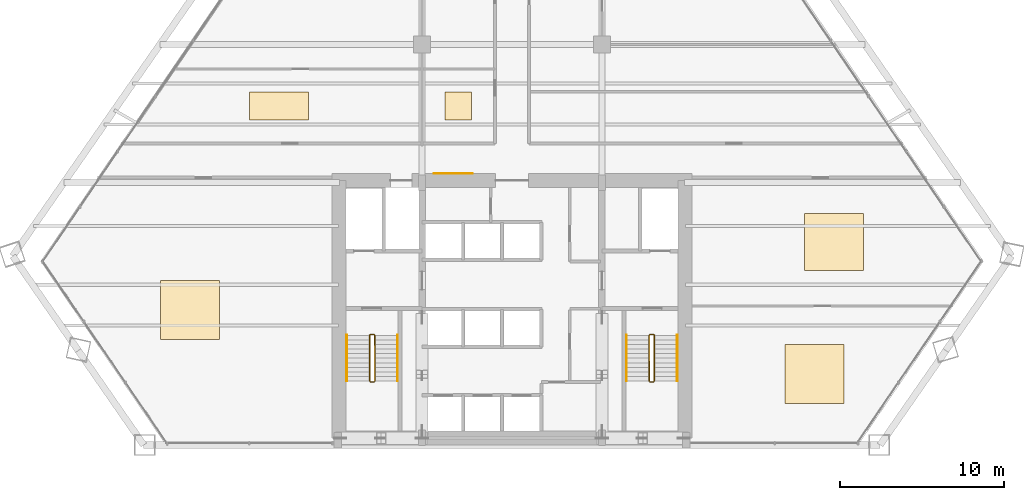
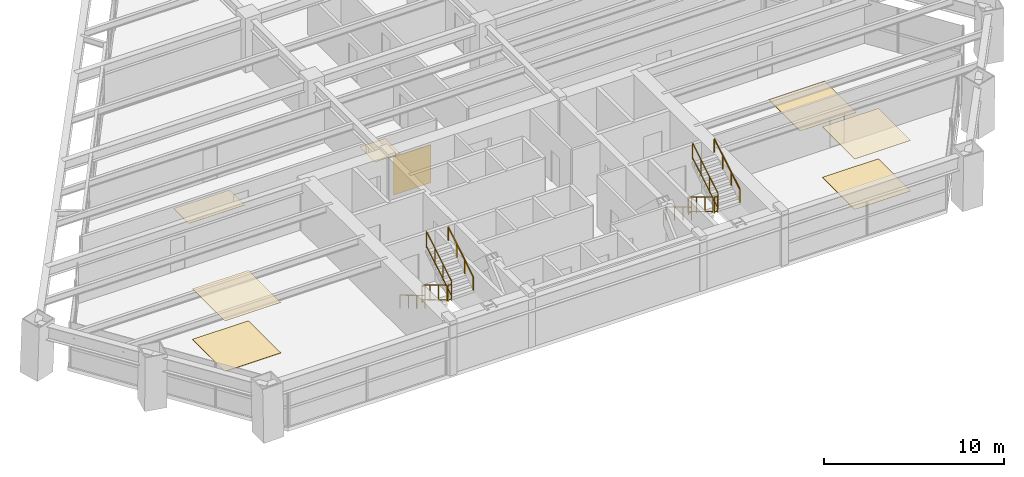
# One storey, part 13 of 13: 12 railings, 8 coverings.
"""IFC4 building model written with IfcOpenShell, lengths in metres."""

from ifc_helpers import new_model, si_unit, direction, frame, origin, origin_2d, place, context, subcontext, project, spatial, rectangle, extrude, source, transform, mapped, material, layer, layer_set, type_object, type_shapes, element, save


model = new_model("IFC4")

# Units and contexts
model_context = context("Model", 3, precision=1e-05, world=origin(), true_north=direction((0.0, 1.0)))
body_context = subcontext(model_context, "Body", "Model", "MODEL_VIEW")
ifc_project = project(units=[si_unit("LENGTHUNIT", "METRE"), si_unit("AREAUNIT", "SQUARE_METRE"), si_unit("VOLUMEUNIT", "CUBIC_METRE"), si_unit("PLANEANGLEUNIT", "RADIAN"), si_unit("MASSUNIT", "GRAM", prefix="KILO")], contexts=[model_context])

# Site, building, storey
site_placement = place(None, origin())
site = spatial("IfcSite", under=ifc_project, at=site_placement, CompositionType="ELEMENT")
building_placement = place(site_placement, origin())
building = spatial("IfcBuilding", under=site, at=building_placement, Name="Varnakhor Terracotta Tower", CompositionType="ELEMENT")
storey_placement = place(building_placement, frame((0.0, 0.0, 27.5)))
storey = spatial("IfcBuildingStorey", under=building, at=storey_placement, Name="L05", CompositionType="ELEMENT", Elevation=27.5)

# Railings
ifc_material_1 = material(Name="Painted Steel Stairwell Guardrail", Category="steel")
railing_type_1 = type_object("IfcRailingType", Name="RLG-STAIR-GUARD-1120", PredefinedType="GUARDRAIL", material=ifc_material_1)
railing_1_placement = place(storey_placement, frame((-8.699951171875, 6.7099609375, 0.168212890625)))
element("IfcRailing", 1, at=railing_1_placement, inside=storey, type_object=railing_type_1, Name="L05 ST-1 stair guard 1", PredefinedType="GUARDRAIL", context=body_context, shape_type="SweptSolid", body=[
    extrude(rectangle(XDim=0.048095703125, YDim=0.048095703125, at=origin_2d()), frame((0.0, 0.0, 1.09619140625), z_axis=(0.0, -0.857242210791, 0.514913383045), x_axis=(1.0, 0.0, 0.0)), (0.0, 0.0, 1.0), 3.266357421875),
    extrude(rectangle(XDim=0.048095703125, YDim=0.048095703125, at=origin_2d()), frame((0.0, 0.0, 0.10009765625), z_axis=(0.0, -0.857242210791, 0.514913383045), x_axis=(1.0, 0.0, 0.0)), (0.0, 0.0, 1.0), 3.266357421875),
    extrude(rectangle(XDim=0.0419921875, YDim=0.0419921875, at=origin_2d()), origin(), (0.0, 0.0, 1.0), 1.072021484375),
    extrude(rectangle(XDim=0.0419921875, YDim=0.0419921875, at=origin_2d()), frame((0.0, -0.933349609375, 0.560546875)), (0.0, 0.0, 1.0), 1.072021484375),
    extrude(rectangle(XDim=0.0419921875, YDim=0.0419921875, at=origin_2d()), frame((0.0, -1.86669921875, 1.121337890625)), (0.0, 0.0, 1.0), 1.072021484375),
    extrude(rectangle(XDim=0.0419921875, YDim=0.0419921875, at=origin_2d()), frame((0.0, -2.800048828125, 1.681884765625)), (0.0, 0.0, 1.0), 1.072021484375),
])
railing_2_placement = place(storey_placement, frame((-8.64990234375, 3.860107421875, 1.85009765625)))
element("IfcRailing", 2, at=railing_2_placement, inside=storey, type_object=railing_type_1, Name="L05 ST-1 stair guard 2", PredefinedType="GUARDRAIL", context=body_context, shape_type="SweptSolid", body=[
    extrude(rectangle(XDim=0.048095703125, YDim=0.048095703125, at=origin_2d()), frame((0.0, 0.0, 1.09619140625), z_axis=(1.0, 0.0, 0.0), x_axis=(0.0, 1.0, 0.0)), (0.0, 0.0, 1.0), 0.199951171875),
    extrude(rectangle(XDim=0.048095703125, YDim=0.048095703125, at=origin_2d()), frame((0.0, 0.0, 0.10009765625), z_axis=(1.0, 0.0, 0.0), x_axis=(0.0, 1.0, 0.0)), (0.0, 0.0, 1.0), 0.199951171875),
    extrude(rectangle(XDim=0.0419921875, YDim=0.0419921875, at=origin_2d()), origin(), (0.0, 0.0, 1.0), 1.072021484375),
    extrude(rectangle(XDim=0.0419921875, YDim=0.0419921875, at=origin_2d()), frame((0.199951171875, 0.0, 0.0)), (0.0, 0.0, 1.0), 1.072021484375),
])
railing_3_placement = place(storey_placement, frame((-8.39990234375, 3.909912109375, 2.01806640625)))
element("IfcRailing", 3, at=railing_3_placement, inside=storey, type_object=railing_type_1, Name="L05 ST-1 stair guard 3", PredefinedType="GUARDRAIL", context=body_context, shape_type="SweptSolid", body=[
    extrude(rectangle(XDim=0.048095703125, YDim=0.048095703125, at=origin_2d()), frame((0.0, 0.0, 1.09619140625), z_axis=(0.0, 0.857242210791, 0.514913383045), x_axis=(-1.0, 0.0, 0.0)), (0.0, 0.0, 1.0), 3.266357421875),
    extrude(rectangle(XDim=0.048095703125, YDim=0.048095703125, at=origin_2d()), frame((0.0, 0.0, 0.10009765625), z_axis=(0.0, 0.857242210791, 0.514913383045), x_axis=(-1.0, 0.0, 0.0)), (0.0, 0.0, 1.0), 3.266357421875),
    extrude(rectangle(XDim=0.0419921875, YDim=0.0419921875, at=origin_2d()), origin(), (0.0, 0.0, 1.0), 1.072021484375),
    extrude(rectangle(XDim=0.0419921875, YDim=0.0419921875, at=origin_2d()), frame((0.0, 0.933349609375, 0.560546875)), (0.0, 0.0, 1.0), 1.072021484375),
    extrude(rectangle(XDim=0.0419921875, YDim=0.0419921875, at=origin_2d()), frame((0.0, 1.86669921875, 1.121337890625)), (0.0, 0.0, 1.0), 1.072021484375),
    extrude(rectangle(XDim=0.0419921875, YDim=0.0419921875, at=origin_2d()), frame((0.0, 2.800048828125, 1.681884765625)), (0.0, 0.0, 1.0), 1.072021484375),
])
railing_4_placement = place(storey_placement, frame((-8.64990234375, 6.760009765625, 0.0)))
element("IfcRailing", 4, at=railing_4_placement, inside=storey, type_object=railing_type_1, Name="L05 ST-1 stair guard 4", PredefinedType="GUARDRAIL", context=body_context, shape_type="SweptSolid", body=[
    extrude(rectangle(XDim=0.048095703125, YDim=0.048095703125, at=origin_2d()), frame((0.0, 0.0, 1.09619140625), z_axis=(1.0, 0.0, 0.0), x_axis=(0.0, 1.0, 0.0)), (0.0, 0.0, 1.0), 0.199951171875),
    extrude(rectangle(XDim=0.048095703125, YDim=0.048095703125, at=origin_2d()), frame((0.0, 0.0, 0.10009765625), z_axis=(1.0, 0.0, 0.0), x_axis=(0.0, 1.0, 0.0)), (0.0, 0.0, 1.0), 0.199951171875),
    extrude(rectangle(XDim=0.0419921875, YDim=0.0419921875, at=origin_2d()), origin(), (0.0, 0.0, 1.0), 1.072021484375),
    extrude(rectangle(XDim=0.0419921875, YDim=0.0419921875, at=origin_2d()), frame((0.199951171875, 0.0, 0.0)), (0.0, 0.0, 1.0), 1.072021484375),
])
railing_5_placement = place(storey_placement, frame((8.39990234375, 6.7099609375, 0.168212890625)))
element("IfcRailing", 5, at=railing_5_placement, inside=storey, type_object=railing_type_1, Name="L05 ST-2 stair guard 1", PredefinedType="GUARDRAIL", context=body_context, shape_type="SweptSolid", body=[
    extrude(rectangle(XDim=0.048095703125, YDim=0.048095703125, at=origin_2d()), frame((0.0, 0.0, 1.09619140625), z_axis=(0.0, -0.857242210791, 0.514913383045), x_axis=(1.0, 0.0, 0.0)), (0.0, 0.0, 1.0), 3.266357421875),
    extrude(rectangle(XDim=0.048095703125, YDim=0.048095703125, at=origin_2d()), frame((0.0, 0.0, 0.10009765625), z_axis=(0.0, -0.857242210791, 0.514913383045), x_axis=(1.0, 0.0, 0.0)), (0.0, 0.0, 1.0), 3.266357421875),
    extrude(rectangle(XDim=0.0419921875, YDim=0.0419921875, at=origin_2d()), origin(), (0.0, 0.0, 1.0), 1.072021484375),
    extrude(rectangle(XDim=0.0419921875, YDim=0.0419921875, at=origin_2d()), frame((0.0, -0.933349609375, 0.560546875)), (0.0, 0.0, 1.0), 1.072021484375),
    extrude(rectangle(XDim=0.0419921875, YDim=0.0419921875, at=origin_2d()), frame((0.0, -1.86669921875, 1.121337890625)), (0.0, 0.0, 1.0), 1.072021484375),
    extrude(rectangle(XDim=0.0419921875, YDim=0.0419921875, at=origin_2d()), frame((0.0, -2.800048828125, 1.681884765625)), (0.0, 0.0, 1.0), 1.072021484375),
])
railing_6_placement = place(storey_placement, frame((8.449951171875, 3.860107421875, 1.85009765625)))
element("IfcRailing", 6, at=railing_6_placement, inside=storey, type_object=railing_type_1, Name="L05 ST-2 stair guard 2", PredefinedType="GUARDRAIL", context=body_context, shape_type="SweptSolid", body=[
    extrude(rectangle(XDim=0.048095703125, YDim=0.048095703125, at=origin_2d()), frame((0.0, 0.0, 1.09619140625), z_axis=(1.0, 0.0, 0.0), x_axis=(0.0, 1.0, 0.0)), (0.0, 0.0, 1.0), 0.199951171875),
    extrude(rectangle(XDim=0.048095703125, YDim=0.048095703125, at=origin_2d()), frame((0.0, 0.0, 0.10009765625), z_axis=(1.0, 0.0, 0.0), x_axis=(0.0, 1.0, 0.0)), (0.0, 0.0, 1.0), 0.199951171875),
    extrude(rectangle(XDim=0.0419921875, YDim=0.0419921875, at=origin_2d()), origin(), (0.0, 0.0, 1.0), 1.072021484375),
    extrude(rectangle(XDim=0.0419921875, YDim=0.0419921875, at=origin_2d()), frame((0.199951171875, 0.0, 0.0)), (0.0, 0.0, 1.0), 1.072021484375),
])
railing_7_placement = place(storey_placement, frame((8.699951171875, 3.909912109375, 2.01806640625)))
element("IfcRailing", 7, at=railing_7_placement, inside=storey, type_object=railing_type_1, Name="L05 ST-2 stair guard 3", PredefinedType="GUARDRAIL", context=body_context, shape_type="SweptSolid", body=[
    extrude(rectangle(XDim=0.048095703125, YDim=0.048095703125, at=origin_2d()), frame((0.0, 0.0, 1.09619140625), z_axis=(0.0, 0.857242210791, 0.514913383045), x_axis=(-1.0, 0.0, 0.0)), (0.0, 0.0, 1.0), 3.266357421875),
    extrude(rectangle(XDim=0.048095703125, YDim=0.048095703125, at=origin_2d()), frame((0.0, 0.0, 0.10009765625), z_axis=(0.0, 0.857242210791, 0.514913383045), x_axis=(-1.0, 0.0, 0.0)), (0.0, 0.0, 1.0), 3.266357421875),
    extrude(rectangle(XDim=0.0419921875, YDim=0.0419921875, at=origin_2d()), origin(), (0.0, 0.0, 1.0), 1.072021484375),
    extrude(rectangle(XDim=0.0419921875, YDim=0.0419921875, at=origin_2d()), frame((0.0, 0.933349609375, 0.560546875)), (0.0, 0.0, 1.0), 1.072021484375),
    extrude(rectangle(XDim=0.0419921875, YDim=0.0419921875, at=origin_2d()), frame((0.0, 1.86669921875, 1.121337890625)), (0.0, 0.0, 1.0), 1.072021484375),
    extrude(rectangle(XDim=0.0419921875, YDim=0.0419921875, at=origin_2d()), frame((0.0, 2.800048828125, 1.681884765625)), (0.0, 0.0, 1.0), 1.072021484375),
])
railing_8_placement = place(storey_placement, frame((8.449951171875, 6.760009765625, 0.0)))
element("IfcRailing", 8, at=railing_8_placement, inside=storey, type_object=railing_type_1, Name="L05 ST-2 stair guard 4", PredefinedType="GUARDRAIL", context=body_context, shape_type="SweptSolid", body=[
    extrude(rectangle(XDim=0.048095703125, YDim=0.048095703125, at=origin_2d()), frame((0.0, 0.0, 1.09619140625), z_axis=(1.0, 0.0, 0.0), x_axis=(0.0, 1.0, 0.0)), (0.0, 0.0, 1.0), 0.199951171875),
    extrude(rectangle(XDim=0.048095703125, YDim=0.048095703125, at=origin_2d()), frame((0.0, 0.0, 0.10009765625), z_axis=(1.0, 0.0, 0.0), x_axis=(0.0, 1.0, 0.0)), (0.0, 0.0, 1.0), 0.199951171875),
    extrude(rectangle(XDim=0.0419921875, YDim=0.0419921875, at=origin_2d()), origin(), (0.0, 0.0, 1.0), 1.072021484375),
    extrude(rectangle(XDim=0.0419921875, YDim=0.0419921875, at=origin_2d()), frame((0.199951171875, 0.0, 0.0)), (0.0, 0.0, 1.0), 1.072021484375),
])
ifc_material_2 = material(Name="Brushed Stainless Steel Handrail", Category="steel")
railing_type_2 = type_object("IfcRailingType", Name="RLG-STAIR-HANDRAIL-920", PredefinedType="HANDRAIL", material=ifc_material_2)
railing_9_placement = place(storey_placement, frame((-10.10009765625, 6.7099609375, 0.168212890625)))
element("IfcRailing", 9, at=railing_9_placement, inside=storey, type_object=railing_type_2, Name="L05 ST-1 stair handrail 1", PredefinedType="HANDRAIL", context=body_context, shape_type="SweptSolid", body=[
    extrude(rectangle(XDim=0.048095703125, YDim=0.048095703125, at=origin_2d()), frame((0.0, 0.0, 0.89599609375), z_axis=(0.0, -0.857242210791, 0.514913383045), x_axis=(1.0, 0.0, 0.0)), (0.0, 0.0, 1.0), 3.266357421875),
    extrude(rectangle(XDim=0.0419921875, YDim=0.0419921875, at=origin_2d()), origin(), (0.0, 0.0, 1.0), 0.871826171875),
    extrude(rectangle(XDim=0.0419921875, YDim=0.0419921875, at=origin_2d()), frame((0.0, -0.933349609375, 0.560546875)), (0.0, 0.0, 1.0), 0.871826171875),
    extrude(rectangle(XDim=0.0419921875, YDim=0.0419921875, at=origin_2d()), frame((0.0, -1.86669921875, 1.121337890625)), (0.0, 0.0, 1.0), 0.871826171875),
    extrude(rectangle(XDim=0.0419921875, YDim=0.0419921875, at=origin_2d()), frame((0.0, -2.800048828125, 1.681884765625)), (0.0, 0.0, 1.0), 0.871826171875),
])
railing_10_placement = place(storey_placement, frame((-7.0, 3.909912109375, 2.01806640625)))
element("IfcRailing", 10, at=railing_10_placement, inside=storey, type_object=railing_type_2, Name="L05 ST-1 stair handrail 2", PredefinedType="HANDRAIL", context=body_context, shape_type="SweptSolid", body=[
    extrude(rectangle(XDim=0.048095703125, YDim=0.048095703125, at=origin_2d()), frame((0.0, 0.0, 0.89599609375), z_axis=(0.0, 0.857242210791, 0.514913383045), x_axis=(-1.0, 0.0, 0.0)), (0.0, 0.0, 1.0), 3.266357421875),
    extrude(rectangle(XDim=0.0419921875, YDim=0.0419921875, at=origin_2d()), origin(), (0.0, 0.0, 1.0), 0.871826171875),
    extrude(rectangle(XDim=0.0419921875, YDim=0.0419921875, at=origin_2d()), frame((0.0, 0.933349609375, 0.560546875)), (0.0, 0.0, 1.0), 0.871826171875),
    extrude(rectangle(XDim=0.0419921875, YDim=0.0419921875, at=origin_2d()), frame((0.0, 1.86669921875, 1.121337890625)), (0.0, 0.0, 1.0), 0.871826171875),
    extrude(rectangle(XDim=0.0419921875, YDim=0.0419921875, at=origin_2d()), frame((0.0, 2.800048828125, 1.681884765625)), (0.0, 0.0, 1.0), 0.871826171875),
])
railing_11_placement = place(storey_placement, frame((7.0, 6.7099609375, 0.168212890625)))
element("IfcRailing", 11, at=railing_11_placement, inside=storey, type_object=railing_type_2, Name="L05 ST-2 stair handrail 1", PredefinedType="HANDRAIL", context=body_context, shape_type="SweptSolid", body=[
    extrude(rectangle(XDim=0.048095703125, YDim=0.048095703125, at=origin_2d()), frame((0.0, 0.0, 0.89599609375), z_axis=(0.0, -0.857242210791, 0.514913383045), x_axis=(1.0, 0.0, 0.0)), (0.0, 0.0, 1.0), 3.266357421875),
    extrude(rectangle(XDim=0.0419921875, YDim=0.0419921875, at=origin_2d()), origin(), (0.0, 0.0, 1.0), 0.871826171875),
    extrude(rectangle(XDim=0.0419921875, YDim=0.0419921875, at=origin_2d()), frame((0.0, -0.933349609375, 0.560546875)), (0.0, 0.0, 1.0), 0.871826171875),
    extrude(rectangle(XDim=0.0419921875, YDim=0.0419921875, at=origin_2d()), frame((0.0, -1.86669921875, 1.121337890625)), (0.0, 0.0, 1.0), 0.871826171875),
    extrude(rectangle(XDim=0.0419921875, YDim=0.0419921875, at=origin_2d()), frame((0.0, -2.800048828125, 1.681884765625)), (0.0, 0.0, 1.0), 0.871826171875),
])
railing_12_placement = place(storey_placement, frame((10.10009765625, 3.909912109375, 2.01806640625)))
element("IfcRailing", 12, at=railing_12_placement, inside=storey, type_object=railing_type_2, Name="L05 ST-2 stair handrail 2", PredefinedType="HANDRAIL", context=body_context, shape_type="SweptSolid", body=[
    extrude(rectangle(XDim=0.048095703125, YDim=0.048095703125, at=origin_2d()), frame((0.0, 0.0, 0.89599609375), z_axis=(0.0, 0.857242210791, 0.514913383045), x_axis=(-1.0, 0.0, 0.0)), (0.0, 0.0, 1.0), 3.266357421875),
    extrude(rectangle(XDim=0.0419921875, YDim=0.0419921875, at=origin_2d()), origin(), (0.0, 0.0, 1.0), 0.871826171875),
    extrude(rectangle(XDim=0.0419921875, YDim=0.0419921875, at=origin_2d()), frame((0.0, 0.933349609375, 0.560546875)), (0.0, 0.0, 1.0), 0.871826171875),
    extrude(rectangle(XDim=0.0419921875, YDim=0.0419921875, at=origin_2d()), frame((0.0, 1.86669921875, 1.121337890625)), (0.0, 0.0, 1.0), 0.871826171875),
    extrude(rectangle(XDim=0.0419921875, YDim=0.0419921875, at=origin_2d()), frame((0.0, 2.800048828125, 1.681884765625)), (0.0, 0.0, 1.0), 0.871826171875),
])

# Coverings
ifc_material_3 = material(Name="Extruded Architectural Terracotta Cladding", Category="masonry")
ifc_layer_1 = layer(ifc_material_3, 0.044921875, Name="Extruded Architectural Terracotta Cladding")
ifc_layer_set_1 = layer_set([ifc_layer_1], Name="Extruded Architectural Terracotta Cladding")
covering_type_1 = type_object("IfcCoveringType", Name="COV-CLAD-TERRACOTTA", PredefinedType="CLADDING", material=ifc_layer_set_1)
shared_shape_1 = source(origin(), body_context, "Body", "SweptSolid", [
    extrude(rectangle(XDim=2.39990234375, YDim=0.030029296875, at=origin_2d()), origin(), (0.0, 0.0, 1.0), 2.60009765625),
])
type_shapes(covering_type_1, [shared_shape_1])
covering_1_placement = place(storey_placement, frame((-3.60009765625, 16.612060546875, 0.0), z_axis=(0.0, 0.0, 1.0), x_axis=(1.0, 0.0, 0.0)))
element("IfcCovering", 13, at=covering_1_placement, inside=storey, type_object=covering_type_1, Name="L05 Core Lobby Limestone Cladding", PredefinedType="CLADDING", context=body_context, shape_type="MappedRepresentation", body=[
    mapped(shared_shape_1, transform((0.0, 0.0, 0.0), scale=1.0)),
])
ifc_material_4 = material(Name="Honed Riyadh Limestone Flooring", Category="masonry")
ifc_layer_2 = layer(ifc_material_4, 0.030029296875, Name="Honed Riyadh Limestone Flooring")
ifc_layer_set_2 = layer_set([ifc_layer_2], Name="Honed Riyadh Limestone Flooring")
covering_type_2 = type_object("IfcCoveringType", Name="COV-FLOOR-LIMESTONE", PredefinedType="FLOORING", material=ifc_layer_set_2)
shared_shape_2 = source(origin(), body_context, "Body", "SweptSolid", [
    extrude(rectangle(XDim=3.60009765625, YDim=3.60009765625, at=origin_2d()), origin(), (0.0, 0.0, 1.0), 0.02001953125),
])
for number, where, z_axis, x_axis, name in (
    (14, (18.509033203125, 4.35205078125, 0.0), (0.0, 0.0, 1.0), (1.0, 0.0, 0.0), "L05 Honed Stone Flooring 1"),
    (15, (-19.68994140625, 8.26611328125, 0.0), (0.0, 0.0, 1.0), (1.0, 0.0, 0.0), "L05 Honed Stone Flooring 2"),
):
    element("IfcCovering", number, at=place(storey_placement, frame(where, z_axis=z_axis, x_axis=x_axis)), inside=storey, type_object=covering_type_2, Name=name, PredefinedType="FLOORING", context=body_context, shape_type="MappedRepresentation", body=[
        mapped(shared_shape_2, transform((0.0, 0.0, 0.0), scale=1.0)),
    ])
ifc_material_5 = material(Name="Perforated Acoustic Mineral-Fibre Ceiling", Category="gypsum")
ifc_layer_3 = layer(ifc_material_5, 0.02490234375, Name="Perforated Acoustic Mineral-Fibre Ceiling")
ifc_layer_set_3 = layer_set([ifc_layer_3], Name="Perforated Acoustic Mineral-Fibre Ceiling")
covering_type_3 = type_object("IfcCoveringType", Name="COV-CEILING-ACOUSTIC", PredefinedType="CEILING", material=ifc_layer_set_3)
shared_shape_3 = source(origin(), body_context, "Body", "SweptSolid", [
    extrude(rectangle(XDim=3.60009765625, YDim=3.60009765625, at=origin_2d()), origin(), (0.0, 0.0, 1.0), 0.02392578125),
])
for number, where, z_axis, x_axis, name in (
    (16, (18.509033203125, 4.35205078125, 3.426025390625), (0.0, 0.0, 1.0), (1.0, 0.0, 0.0), "L05 Acoustic Ceiling Panel 1"),
    (17, (-19.68994140625, 8.26611328125, 3.426025390625), (0.0, 0.0, 1.0), (1.0, 0.0, 0.0), "L05 Acoustic Ceiling Panel 2"),
):
    element("IfcCovering", number, at=place(storey_placement, frame(where, z_axis=z_axis, x_axis=x_axis)), inside=storey, type_object=covering_type_3, Name=name, PredefinedType="CEILING", context=body_context, shape_type="MappedRepresentation", body=[
        mapped(shared_shape_3, transform((0.0, 0.0, 0.0), scale=1.0)),
    ])
shared_shape_4 = source(origin(), body_context, "Body", "SweptSolid", [
    extrude(rectangle(XDim=3.60009765625, YDim=3.507080078125, at=origin_2d()), origin(), (0.0, 0.0, 1.0), 0.02001953125),
])
covering_2_placement = place(storey_placement, frame((19.68994140625, 12.4140625, 0.0), z_axis=(0.0, 0.0, 1.0), x_axis=(1.0, 0.0, 0.0)))
element("IfcCovering", 18, at=covering_2_placement, inside=storey, type_object=covering_type_2, Name="L05 Honed Stone Flooring 3", PredefinedType="FLOORING", context=body_context, shape_type="MappedRepresentation", body=[
    mapped(shared_shape_4, transform((0.0, 0.0, 0.0), scale=1.0)),
])
shared_shape_5 = source(origin(), body_context, "Body", "SweptSolid", [
    extrude(rectangle(XDim=3.60009765625, YDim=1.69189453125, at=origin_2d()), origin(), (0.0, 0.0, 1.0), 0.02001953125),
])
covering_3_placement = place(storey_placement, frame((-14.2509765625, 20.736083984375, 0.0), z_axis=(0.0, 0.0, 1.0), x_axis=(1.0, 0.0, 0.0)))
element("IfcCovering", 19, at=covering_3_placement, inside=storey, type_object=covering_type_2, Name="L05 Honed Stone Flooring 4", PredefinedType="FLOORING", context=body_context, shape_type="MappedRepresentation", body=[
    mapped(shared_shape_5, transform((0.0, 0.0, 0.0), scale=1.0)),
])
shared_shape_6 = source(origin(), body_context, "Body", "SweptSolid", [
    extrude(rectangle(XDim=1.636962890625, YDim=1.69189453125, at=origin_2d()), origin(), (0.0, 0.0, 1.0), 0.02001953125),
])
covering_4_placement = place(storey_placement, frame((-3.285888671875, 20.736083984375, 0.0), z_axis=(0.0, 0.0, 1.0), x_axis=(1.0, 0.0, 0.0)))
element("IfcCovering", 20, at=covering_4_placement, inside=storey, type_object=covering_type_2, Name="L05 Honed Stone Flooring 5", PredefinedType="FLOORING", context=body_context, shape_type="MappedRepresentation", body=[
    mapped(shared_shape_6, transform((0.0, 0.0, 0.0), scale=1.0)),
])

save(model, "model.ifc")
